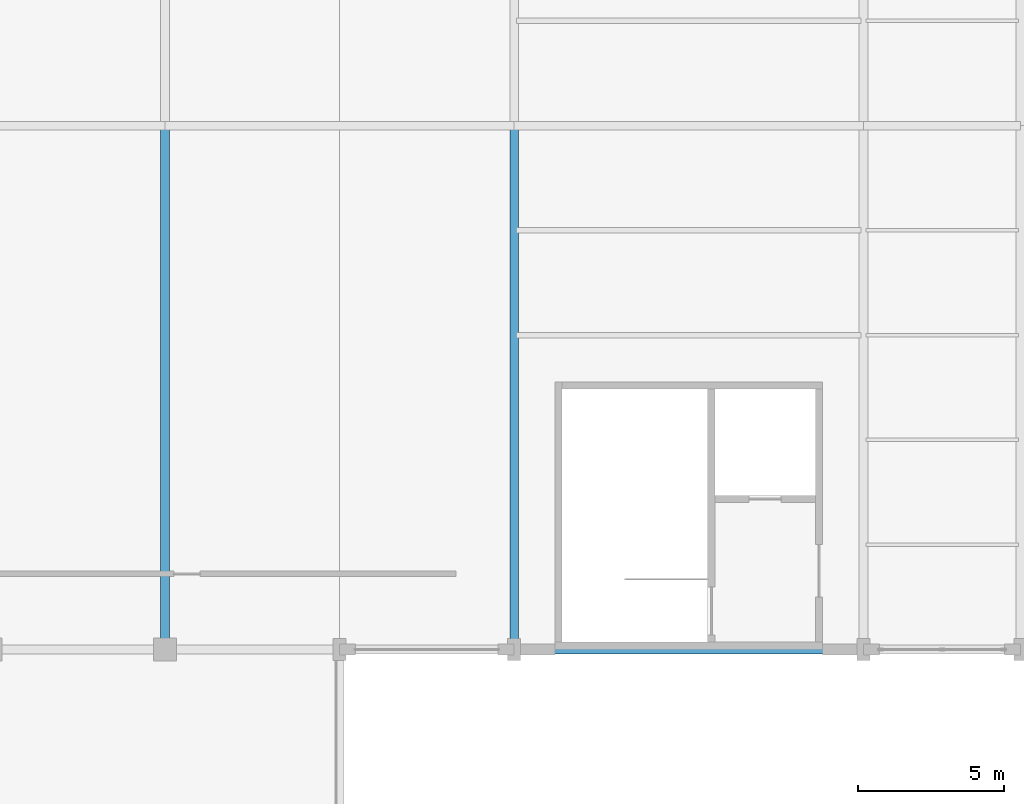
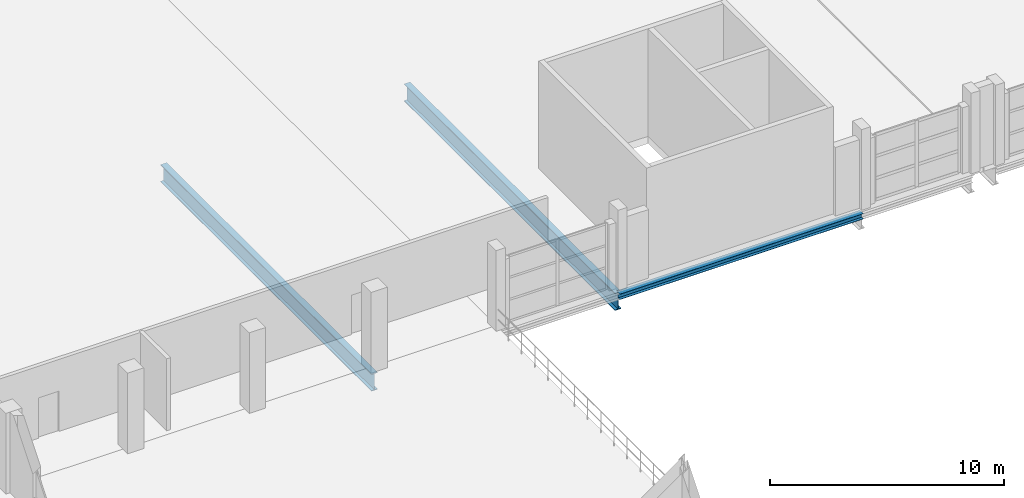
# One storey, part 67 of 147: 3 beams.
"""IFC4 building model written with IfcOpenShell, lengths in metres."""

from ifc_helpers import new_model, si_unit, direction, frame, origin, origin_2d, place, context, subcontext, project, spatial, i_section, extrude, material, material_profile, profile_set, type_object, element, save


model = new_model("IFC4")

# Units and contexts
model_context = context("Model", 3, precision=1e-05, world=origin(), true_north=direction((0.0, 1.0)))
body_context = subcontext(model_context, "Body", "Model", "MODEL_VIEW")
ifc_project = project(units=[si_unit("LENGTHUNIT", "METRE"), si_unit("AREAUNIT", "SQUARE_METRE"), si_unit("VOLUMEUNIT", "CUBIC_METRE"), si_unit("PLANEANGLEUNIT", "RADIAN"), si_unit("MASSUNIT", "GRAM", prefix="KILO")], contexts=[model_context])

# Site, building, storey
site_placement = place(None, origin())
site = spatial("IfcSite", under=ifc_project, at=site_placement, CompositionType="ELEMENT")
building_placement = place(site_placement, origin())
building = spatial("IfcBuilding", under=site, at=building_placement, Name="Zilviju Railside Exhibition Hall", CompositionType="ELEMENT")
storey_placement = place(building_placement, frame((0.0, 0.0, 8.39990234375)))
storey = spatial("IfcBuildingStorey", under=building, at=storey_placement, Name="L03", CompositionType="ELEMENT", Elevation=8.39990234375)

# Beams
ifc_material = material(Name="Steel S355J2", Category="steel")
ifc_material_profile_1 = material_profile(ifc_material, i_section(OverallWidth=0.300048828125, OverallDepth=0.2900390625, WebThickness=0.008544921875, FlangeThickness=0.013916015625, at=origin_2d()), Name="HEA 300")
ifc_profile_set_1 = profile_set([ifc_material_profile_1], Name="Steel S355J2")
beam_type_1 = type_object("IfcBeamType", Name="BM-HEA300", PredefinedType="SPANDREL", material=ifc_profile_set_1)
beam_placement = place(storey_placement, frame((108.0, 84.0, -0.52490234375), z_axis=(1.0, 0.0, 0.0), x_axis=(0.0, 1.0, 0.0)))
element("IfcBeam", 1, at=beam_placement, inside=storey, type_object=beam_type_1, Name="Primary Girder L03 Y=84.0 (108.0..120.0)", PredefinedType="SPANDREL", context=body_context, shape_type="SweptSolid", body=[
    extrude(i_section(OverallWidth=0.300048828125, OverallDepth=0.2900390625, WebThickness=0.008544921875, FlangeThickness=0.013916015625, at=origin_2d()), origin(), (0.0, 0.0, 1.0), 12.0),
])
ifc_material_profile_2 = material_profile(ifc_material, i_section(OverallWidth=0.300048828125, OverallDepth=0.89990234375, WebThickness=0.0185546875, FlangeThickness=0.034912109375, at=origin_2d()), Name="HEB 900")
ifc_profile_set_2 = profile_set([ifc_material_profile_2], Name="Steel S355J2")
beam_type_2 = type_object("IfcBeamType", Name="BM-HEB900", PredefinedType="BEAM", material=ifc_profile_set_2)
for number, where, z_axis, x_axis, name in (
    (2, (96.0, 84.0, -0.829833984375), (0.0, 1.0, 0.0), (-1.0, 0.0, 0.0), "Transverse Girder L03 X=96.0 (84.0..102.0)"),
    (3, (108.0, 84.0, -0.829833984375), (0.0, 1.0, 0.0), (-1.0, 0.0, 0.0), "Transverse Girder L03 X=108.0 (84.0..102.0)"),
):
    element("IfcBeam", number, at=place(storey_placement, frame(where, z_axis=z_axis, x_axis=x_axis)), inside=storey, type_object=beam_type_2, Name=name, PredefinedType="BEAM", context=body_context, shape_type="SweptSolid", body=[
        extrude(i_section(OverallWidth=0.300048828125, OverallDepth=0.89990234375, WebThickness=0.0185546875, FlangeThickness=0.034912109375, at=origin_2d()), origin(), (0.0, 0.0, 1.0), 18.0),
    ])

save(model, "model.ifc")
